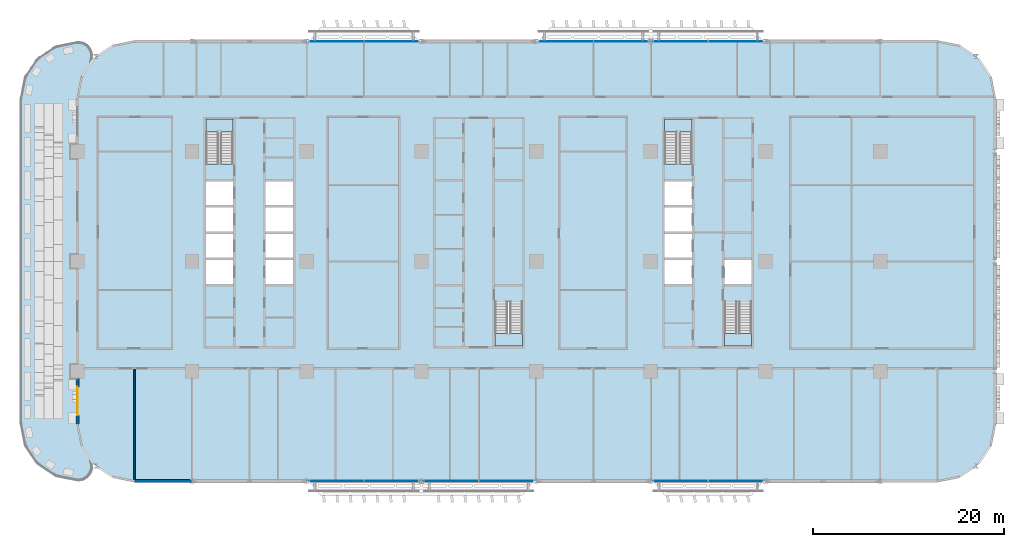
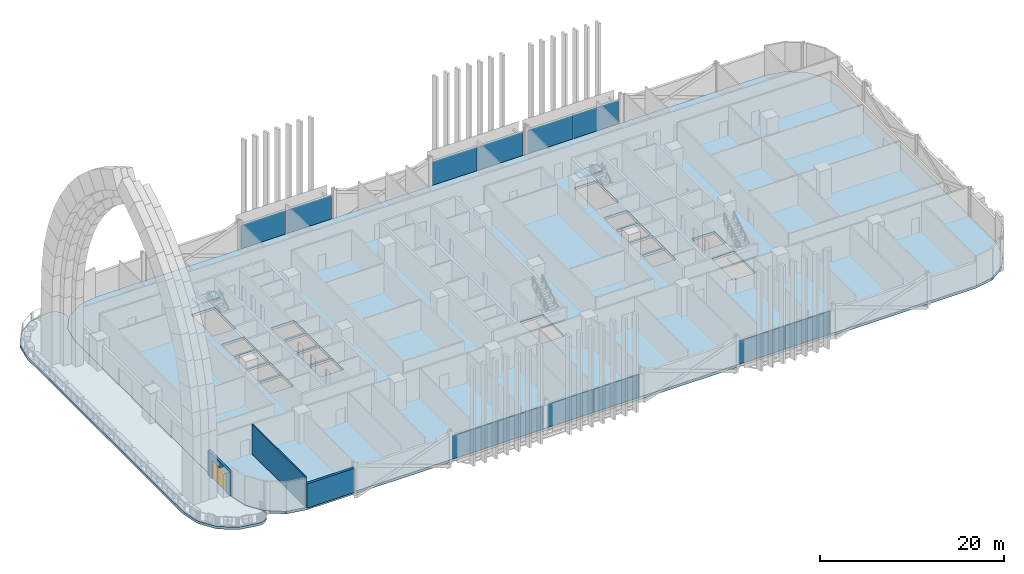
# One storey, part 8 of 29: 12 plates, 6 slabs, 3 walls, 1 door, 1 opening, 10 elements without a shape of their own.
"""IFC4 building model written with IfcOpenShell, lengths in metres."""

from ifc_helpers import new_model, si_unit, direction, frame, frame_2d, origin, origin_2d, place, context, subcontext, project, spatial, polyline, rectangle, outline, extrude, material, layer, layer_set, type_object, element, fill, aggregate, save


model = new_model("IFC4")

# Units and contexts
model_context = context("Model", 3, precision=1e-05, world=origin(), true_north=direction((0.0, 1.0)))
body_context = subcontext(model_context, "Body", "Model", "MODEL_VIEW")
ifc_project = project(units=[si_unit("LENGTHUNIT", "METRE"), si_unit("AREAUNIT", "SQUARE_METRE"), si_unit("VOLUMEUNIT", "CUBIC_METRE"), si_unit("PLANEANGLEUNIT", "RADIAN"), si_unit("MASSUNIT", "GRAM", prefix="KILO")], contexts=[model_context])

# Site, building, storey
site_placement = place(None, origin())
site = spatial("IfcSite", under=ifc_project, at=site_placement, CompositionType="ELEMENT")
building_placement = place(site_placement, origin())
building = spatial("IfcBuilding", under=site, at=building_placement, Name="Mahtab Terrace Research Tower", CompositionType="ELEMENT")
storey_placement = place(building_placement, frame((0.0, 0.0, 46.0)))
storey = spatial("IfcBuildingStorey", under=building, at=storey_placement, Name="L10", CompositionType="ELEMENT", Elevation=46.0)

# Stair, slab
ifc_material_1 = material(Name="Exit stair half-turn")
stair_type = type_object("IfcStairType", Name="Exit stair half-turn", PredefinedType="HALF_TURN_STAIR", material=ifc_material_1)
stair_1_placement = place(storey_placement, origin())
stair_1 = element("IfcStair", 1, at=stair_1_placement, inside=storey, type_object=stair_type, Name="L10 Protected exit stair ST1", PredefinedType="HALF_TURN_STAIR")
ifc_material_2 = material(Name="Concrete C40/50", Category="concrete")
ifc_layer_1 = layer(ifc_material_2, 0.199951171875)
ifc_layer_set_1 = layer_set([ifc_layer_1], Name="Exit stair landing 200")
slab_type_1 = type_object("IfcSlabType", Name="Exit stair landing 200", PredefinedType="LANDING", material=ifc_layer_set_1)
slab_1_placement = place(storey_placement, frame((0.0, 0.0, 1.949951171875)))
slab_1 = element("IfcSlab", 2, at=slab_1_placement, type_object=slab_type_1, Name="ST1 landing 1", PredefinedType="LANDING", context=body_context, shape_type="SweptSolid", body=[
    extrude(outline(polyline([(-25.699951171875, 13.534912109375), (-25.699951171875, 14.875), (-28.550048828125, 14.875), (-28.550048828125, 13.534912109375), (-25.699951171875, 13.534912109375)])), origin(), (0.0, 0.0, 1.0), 0.199951171875),
])
aggregate(stair_1, [slab_1])

stair_2_placement = place(storey_placement, origin())
stair_2 = element("IfcStair", 3, at=stair_2_placement, inside=storey, type_object=stair_type, Name="L10 Protected exit stair ST2", PredefinedType="HALF_TURN_STAIR")
slab_2_placement = place(storey_placement, frame((0.0, 0.0, 1.949951171875)))
slab_2 = element("IfcSlab", 4, at=slab_2_placement, type_object=slab_type_1, Name="ST2 landing 1", PredefinedType="LANDING", context=body_context, shape_type="SweptSolid", body=[
    extrude(outline(polyline([(1.699951171875, -7.534912109375), (1.699951171875, -8.875), (4.550048828125, -8.875), (4.550048828125, -7.534912109375), (1.699951171875, -7.534912109375)])), origin(), (0.0, 0.0, 1.0), 0.199951171875),
])
aggregate(stair_2, [slab_2])

stair_3_placement = place(storey_placement, origin())
stair_3 = element("IfcStair", 5, at=stair_3_placement, inside=storey, type_object=stair_type, Name="L10 Protected exit stair ST3", PredefinedType="HALF_TURN_STAIR")
slab_3_placement = place(storey_placement, frame((0.0, 0.0, 1.949951171875)))
slab_3 = element("IfcSlab", 6, at=slab_3_placement, type_object=slab_type_1, Name="ST3 landing 1", PredefinedType="LANDING", context=body_context, shape_type="SweptSolid", body=[
    extrude(outline(polyline([(22.300048828125, 13.534912109375), (22.300048828125, 14.875), (19.449951171875, 14.875), (19.449951171875, 13.534912109375), (22.300048828125, 13.534912109375)])), origin(), (0.0, 0.0, 1.0), 0.199951171875),
])
aggregate(stair_3, [slab_3])

stair_4_placement = place(storey_placement, origin())
stair_4 = element("IfcStair", 7, at=stair_4_placement, inside=storey, type_object=stair_type, Name="L10 Protected exit stair ST4", PredefinedType="HALF_TURN_STAIR")
slab_4_placement = place(storey_placement, frame((0.0, 0.0, 1.949951171875)))
slab_4 = element("IfcSlab", 8, at=slab_4_placement, type_object=slab_type_1, Name="ST4 landing 1", PredefinedType="LANDING", context=body_context, shape_type="SweptSolid", body=[
    extrude(outline(polyline([(25.699951171875, -7.534912109375), (25.699951171875, -8.875), (28.550048828125, -8.875), (28.550048828125, -7.534912109375), (25.699951171875, -7.534912109375)])), origin(), (0.0, 0.0, 1.0), 0.199951171875),
])
aggregate(stair_4, [slab_4])

# Slabs
ifc_layer_2 = layer(ifc_material_2, 0.340087890625)
ifc_layer_set_2 = layer_set([ifc_layer_2], Name="PT flat slab 340")
slab_type_2 = type_object("IfcSlabType", Name="PT flat slab 340", PredefinedType="FLOOR", material=ifc_layer_set_2)
slab_5_placement = place(storey_placement, frame((0.0, 0.0, -0.340087890625)))
element("IfcSlab", 9, at=slab_5_placement, inside=storey, type_object=slab_type_2, Name="Floor slab L10", PredefinedType="FLOOR", context=body_context, shape_type="SweptSolid", body=[
    extrude(outline(polyline([(53.54296875, 19.2958984375), (52.242919921875, 21.242919921875), (50.2958984375, 22.54296875), (48.0, 23.0), (-36.0, 23.0), (-38.2958984375, 22.54296875), (-40.242919921875, 21.242919921875), (-41.54296875, 19.2958984375), (-42.0, 17.0), (-42.0, -17.0), (-41.54296875, -19.2958984375), (-40.242919921875, -21.242919921875), (-38.2958984375, -22.54296875), (-36.0, -23.0), (48.0, -23.0), (50.2958984375, -22.54296875), (52.242919921875, -21.242919921875), (53.54296875, -19.2958984375), (54.0, -17.0), (54.0, 17.0), (53.54296875, 19.2958984375)]), holes=[polyline([(-28.550048828125, -2.375), (-28.550048828125, 0.125), (-25.699951171875, 0.125), (-25.699951171875, -2.375), (-28.550048828125, -2.375)]), polyline([(-22.300048828125, -2.375), (-22.300048828125, 0.125), (-19.449951171875, 0.125), (-19.449951171875, -2.375), (-22.300048828125, -2.375)]), polyline([(-28.550048828125, 0.375), (-28.550048828125, 2.875), (-25.699951171875, 2.875), (-25.699951171875, 0.375), (-28.550048828125, 0.375)]), polyline([(-22.300048828125, 0.375), (-22.300048828125, 2.875), (-19.449951171875, 2.875), (-19.449951171875, 0.375), (-22.300048828125, 0.375)]), polyline([(-28.550048828125, 3.125), (-28.550048828125, 5.625), (-25.699951171875, 5.625), (-25.699951171875, 3.125), (-28.550048828125, 3.125)]), polyline([(-22.300048828125, 3.125), (-22.300048828125, 5.625), (-19.449951171875, 5.625), (-19.449951171875, 3.125), (-22.300048828125, 3.125)]), polyline([(-28.550048828125, 5.875), (-28.550048828125, 8.375), (-25.699951171875, 8.375), (-25.699951171875, 5.875), (-28.550048828125, 5.875)]), polyline([(-22.300048828125, 5.875), (-22.300048828125, 8.375), (-19.449951171875, 8.375), (-19.449951171875, 5.875), (-22.300048828125, 5.875)]), polyline([(-28.550048828125, 10.177001953125), (-28.550048828125, 14.875), (-25.699951171875, 14.875), (-25.699951171875, 10.177001953125), (-28.550048828125, 10.177001953125)]), polyline([(1.699951171875, -8.875), (1.699951171875, -4.177001953125), (4.550048828125, -4.177001953125), (4.550048828125, -8.875), (1.699951171875, -8.875)]), polyline([(25.699951171875, -8.875), (25.699951171875, -4.177001953125), (28.550048828125, -4.177001953125), (28.550048828125, -8.875), (25.699951171875, -8.875)]), polyline([(19.449951171875, -2.375), (19.449951171875, 0.125), (22.300048828125, 0.125), (22.300048828125, -2.375), (19.449951171875, -2.375)]), polyline([(25.699951171875, -2.375), (25.699951171875, 0.125), (28.550048828125, 0.125), (28.550048828125, -2.375), (25.699951171875, -2.375)]), polyline([(19.449951171875, 0.375), (19.449951171875, 2.875), (22.300048828125, 2.875), (22.300048828125, 0.375), (19.449951171875, 0.375)]), polyline([(19.449951171875, 3.125), (19.449951171875, 5.625), (22.300048828125, 5.625), (22.300048828125, 3.125), (19.449951171875, 3.125)]), polyline([(19.449951171875, 8.375), (22.300048828125, 8.375), (22.300048828125, 5.875), (19.449951171875, 5.875), (19.449951171875, 8.375)]), polyline([(19.449951171875, 14.875), (22.300048828125, 14.875), (22.300048828125, 10.177001953125), (19.449951171875, 10.177001953125), (19.449951171875, 14.875)])]), origin(), (0.0, 0.0, 1.0), 0.340087890625),
])
ifc_layer_3 = layer(ifc_material_2, 0.340087890625)
ifc_layer_set_3 = layer_set([ifc_layer_3], Name="PT terrace slab 340")
slab_type_3 = type_object("IfcSlabType", Name="PT terrace slab 340", PredefinedType="FLOOR", material=ifc_layer_set_3)
slab_6_placement = place(storey_placement, frame((0.0, 0.0, -0.340087890625)))
element("IfcSlab", 10, at=slab_6_placement, inside=storey, type_object=slab_type_3, Name="Terrace slab L10", PredefinedType="FLOOR", context=body_context, shape_type="SweptSolid", body=[
    extrude(outline(polyline([(-41.550048828125, -19.260009765625), (-41.992919921875, -17.035888671875), (-41.998046875, -17.0), (-42.0, -16.962890625), (-42.0, 16.962890625), (-41.998046875, 17.0), (-41.992919921875, 17.035888671875), (-41.550048828125, 19.260009765625), (-41.5419921875, 19.294921875), (-41.52294921875, 19.326904296875), (-40.631103515625, 20.660888671875), (-40.554931640625, 20.7880859375), (-40.491943359375, 20.9208984375), (-40.443115234375, 21.05908203125), (-40.406982421875, 21.201904296875), (-40.385009765625, 21.347900390625), (-40.3779296875, 21.4951171875), (-40.385009765625, 21.64208984375), (-40.406982421875, 21.787109375), (-40.443115234375, 21.929931640625), (-40.491943359375, 22.069091796875), (-40.554931640625, 22.201904296875), (-40.631103515625, 22.327880859375), (-40.718994140625, 22.446044921875), (-40.81689453125, 22.555908203125), (-40.927001953125, 22.654052734375), (-41.044921875, 22.741943359375), (-41.1708984375, 22.818115234375), (-41.303955078125, 22.881103515625), (-41.443115234375, 22.929931640625), (-41.5859375, 22.966064453125), (-41.73095703125, 22.988037109375), (-41.8779296875, 22.9951171875), (-42.02490234375, 22.988037109375), (-42.1708984375, 22.966064453125), (-44.0029296875, 22.60107421875), (-44.14599609375, 22.56591796875), (-44.284912109375, 22.51611328125), (-44.41796875, 22.452880859375), (-44.5439453125, 22.3779296875), (-45.9951171875, 21.407958984375), (-46.113037109375, 21.321044921875), (-46.221923828125, 21.221923828125), (-46.321044921875, 21.113037109375), (-46.407958984375, 20.9951171875), (-47.3779296875, 19.5439453125), (-47.452880859375, 19.41796875), (-47.51611328125, 19.284912109375), (-47.56591796875, 19.14599609375), (-47.60107421875, 19.0029296875), (-47.970947265625, 17.14501953125), (-47.992919921875, 16.9990234375), (-48.0, 16.85205078125), (-48.0, -16.85205078125), (-47.992919921875, -16.9990234375), (-47.970947265625, -17.14501953125), (-47.60107421875, -19.0029296875), (-47.56591796875, -19.14599609375), (-47.51611328125, -19.284912109375), (-47.452880859375, -19.41796875), (-47.3779296875, -19.5439453125), (-46.407958984375, -20.9951171875), (-46.321044921875, -21.113037109375), (-46.221923828125, -21.221923828125), (-46.113037109375, -21.321044921875), (-45.9951171875, -21.407958984375), (-44.5439453125, -22.3779296875), (-44.41796875, -22.452880859375), (-44.284912109375, -22.51611328125), (-44.14599609375, -22.56591796875), (-44.0029296875, -22.60107421875), (-42.1708984375, -22.966064453125), (-42.02490234375, -22.988037109375), (-41.8779296875, -22.9951171875), (-41.73095703125, -22.988037109375), (-41.5859375, -22.966064453125), (-41.443115234375, -22.929931640625), (-41.303955078125, -22.881103515625), (-41.1708984375, -22.818115234375), (-41.044921875, -22.741943359375), (-40.927001953125, -22.654052734375), (-40.81689453125, -22.555908203125), (-40.718994140625, -22.446044921875), (-40.631103515625, -22.327880859375), (-40.554931640625, -22.201904296875), (-40.491943359375, -22.069091796875), (-40.443115234375, -21.929931640625), (-40.406982421875, -21.787109375), (-40.385009765625, -21.64208984375), (-40.3779296875, -21.4951171875), (-40.385009765625, -21.347900390625), (-40.406982421875, -21.201904296875), (-40.443115234375, -21.05908203125), (-40.491943359375, -20.9208984375), (-40.554931640625, -20.7880859375), (-40.631103515625, -20.660888671875), (-41.52294921875, -19.326904296875), (-41.5419921875, -19.294921875), (-41.550048828125, -19.260009765625)])), origin(), (0.0, 0.0, 1.0), 0.340087890625),
])

# Curtain wall, plates
ifc_material_3 = material(Name="Sky lounge full-height curtain wall")
curtain_wall_type = type_object("IfcCurtainWallType", Name="Sky lounge full-height curtain wall", PredefinedType="NOTDEFINED", material=ifc_material_3)
curtain_wall_1_placement = place(storey_placement, origin())
curtain_wall_1 = element("IfcCurtainWall", 11, at=curtain_wall_1_placement, inside=storey, type_object=curtain_wall_type, Name="EN.L10.3.5", PredefinedType="NOTDEFINED")
ifc_material_4 = material(Name="Dark glazing", Category="glass")
ifc_layer_4 = layer(ifc_material_4, 0.0400390625)
ifc_layer_set_4 = layer_set([ifc_layer_4], Name="Sky lounge full-height curtain wall glazing panel")
plate_type = type_object("IfcPlateType", Name="Sky lounge full-height curtain wall glazing panel", PredefinedType="CURTAIN_PANEL", material=ifc_layer_set_4)
plate_1_placement = place(storey_placement, frame((26.863525390625, 23.0, 0.0), z_axis=(0.0, 0.0, 1.0), x_axis=(-1.0, 0.0, 0.0)))
plate_1 = element("IfcPlate", 12, at=plate_1_placement, type_object=plate_type, Name="CWS-2 panel 1", PredefinedType="CURTAIN_PANEL", context=body_context, shape_type="SweptSolid", body=[
    extrude(rectangle(XDim=5.656982421875, YDim=0.0400390625, at=origin_2d()), origin(), (0.0, 0.0, 1.0), 3.0830078125),
])
plate_2_placement = place(storey_placement, frame((21.136474609375, 23.0, 0.0), z_axis=(0.0, 0.0, 1.0), x_axis=(-1.0, 0.0, 0.0)))
plate_2 = element("IfcPlate", 13, at=plate_2_placement, type_object=plate_type, Name="CWS-2 panel 2", PredefinedType="CURTAIN_PANEL", context=body_context, shape_type="SweptSolid", body=[
    extrude(rectangle(XDim=5.656982421875, YDim=0.0400390625, at=origin_2d()), origin(), (0.0, 0.0, 1.0), 3.0830078125),
])
aggregate(curtain_wall_1, [plate_1, plate_2])

curtain_wall_2_placement = place(storey_placement, origin())
curtain_wall_2 = element("IfcCurtainWall", 14, at=curtain_wall_2_placement, inside=storey, type_object=curtain_wall_type, Name="EN.L10.3.6", PredefinedType="NOTDEFINED")
plate_3_placement = place(storey_placement, frame((14.863525390625, 23.0, 0.0), z_axis=(0.0, 0.0, 1.0), x_axis=(-1.0, 0.0, 0.0)))
plate_3 = element("IfcPlate", 15, at=plate_3_placement, type_object=plate_type, Name="CWS-2 panel 1", PredefinedType="CURTAIN_PANEL", context=body_context, shape_type="SweptSolid", body=[
    extrude(rectangle(XDim=5.656982421875, YDim=0.0400390625, at=origin_2d()), origin(), (0.0, 0.0, 1.0), 3.0830078125),
])
plate_4_placement = place(storey_placement, frame((9.136474609375, 23.0, 0.0), z_axis=(0.0, 0.0, 1.0), x_axis=(-1.0, 0.0, 0.0)))
plate_4 = element("IfcPlate", 16, at=plate_4_placement, type_object=plate_type, Name="CWS-2 panel 2", PredefinedType="CURTAIN_PANEL", context=body_context, shape_type="SweptSolid", body=[
    extrude(rectangle(XDim=5.656982421875, YDim=0.0400390625, at=origin_2d()), origin(), (0.0, 0.0, 1.0), 3.0830078125),
])
aggregate(curtain_wall_2, [plate_3, plate_4])

curtain_wall_3_placement = place(storey_placement, origin())
curtain_wall_3 = element("IfcCurtainWall", 17, at=curtain_wall_3_placement, inside=storey, type_object=curtain_wall_type, Name="EN.L10.3.8", PredefinedType="NOTDEFINED")
plate_5_placement = place(storey_placement, frame((-9.136474609375, 23.0, 0.0), z_axis=(0.0, 0.0, 1.0), x_axis=(-1.0, 0.0, 0.0)))
plate_5 = element("IfcPlate", 18, at=plate_5_placement, type_object=plate_type, Name="CWS-2 panel 1", PredefinedType="CURTAIN_PANEL", context=body_context, shape_type="SweptSolid", body=[
    extrude(rectangle(XDim=5.656982421875, YDim=0.0400390625, at=origin_2d()), origin(), (0.0, 0.0, 1.0), 3.0830078125),
])
plate_6_placement = place(storey_placement, frame((-14.863525390625, 23.0, 0.0), z_axis=(0.0, 0.0, 1.0), x_axis=(-1.0, 0.0, 0.0)))
plate_6 = element("IfcPlate", 19, at=plate_6_placement, type_object=plate_type, Name="CWS-2 panel 2", PredefinedType="CURTAIN_PANEL", context=body_context, shape_type="SweptSolid", body=[
    extrude(rectangle(XDim=5.656982421875, YDim=0.0400390625, at=origin_2d()), origin(), (0.0, 0.0, 1.0), 3.0830078125),
])
aggregate(curtain_wall_3, [plate_5, plate_6])

curtain_wall_4_placement = place(storey_placement, origin())
curtain_wall_4 = element("IfcCurtainWall", 20, at=curtain_wall_4_placement, inside=storey, type_object=curtain_wall_type, Name="EN.L10.13.25", PredefinedType="NOTDEFINED")
plate_7_placement = place(storey_placement, frame((-14.863525390625, -23.0, 0.0), z_axis=(0.0, 0.0, 1.0), x_axis=(1.0, 0.0, 0.0)))
plate_7 = element("IfcPlate", 21, at=plate_7_placement, type_object=plate_type, Name="CWS-2 panel 1", PredefinedType="CURTAIN_PANEL", context=body_context, shape_type="SweptSolid", body=[
    extrude(rectangle(XDim=5.656982421875, YDim=0.0400390625, at=origin_2d()), origin(), (0.0, 0.0, 1.0), 3.0830078125),
])
plate_8_placement = place(storey_placement, frame((-9.136474609375, -23.0, 0.0), z_axis=(0.0, 0.0, 1.0), x_axis=(1.0, 0.0, 0.0)))
plate_8 = element("IfcPlate", 22, at=plate_8_placement, type_object=plate_type, Name="CWS-2 panel 2", PredefinedType="CURTAIN_PANEL", context=body_context, shape_type="SweptSolid", body=[
    extrude(rectangle(XDim=5.656982421875, YDim=0.0400390625, at=origin_2d()), origin(), (0.0, 0.0, 1.0), 3.0830078125),
])
aggregate(curtain_wall_4, [plate_7, plate_8])

curtain_wall_5_placement = place(storey_placement, origin())
curtain_wall_5 = element("IfcCurtainWall", 23, at=curtain_wall_5_placement, inside=storey, type_object=curtain_wall_type, Name="EN.L10.13.26", PredefinedType="NOTDEFINED")
plate_9_placement = place(storey_placement, frame((-2.863525390625, -23.0, 0.0), z_axis=(0.0, 0.0, 1.0), x_axis=(1.0, 0.0, 0.0)))
plate_9 = element("IfcPlate", 24, at=plate_9_placement, type_object=plate_type, Name="CWS-2 panel 1", PredefinedType="CURTAIN_PANEL", context=body_context, shape_type="SweptSolid", body=[
    extrude(rectangle(XDim=5.656982421875, YDim=0.0400390625, at=origin_2d()), origin(), (0.0, 0.0, 1.0), 3.0830078125),
])
plate_10_placement = place(storey_placement, frame((2.863525390625, -23.0, 0.0), z_axis=(0.0, 0.0, 1.0), x_axis=(1.0, 0.0, 0.0)))
plate_10 = element("IfcPlate", 25, at=plate_10_placement, type_object=plate_type, Name="CWS-2 panel 2", PredefinedType="CURTAIN_PANEL", context=body_context, shape_type="SweptSolid", body=[
    extrude(rectangle(XDim=5.656982421875, YDim=0.0400390625, at=origin_2d()), origin(), (0.0, 0.0, 1.0), 3.0830078125),
])
aggregate(curtain_wall_5, [plate_9, plate_10])

curtain_wall_6_placement = place(storey_placement, origin())
curtain_wall_6 = element("IfcCurtainWall", 26, at=curtain_wall_6_placement, inside=storey, type_object=curtain_wall_type, Name="EN.L10.13.28", PredefinedType="NOTDEFINED")
plate_11_placement = place(storey_placement, frame((21.136474609375, -23.0, 0.0), z_axis=(0.0, 0.0, 1.0), x_axis=(1.0, 0.0, 0.0)))
plate_11 = element("IfcPlate", 27, at=plate_11_placement, type_object=plate_type, Name="CWS-2 panel 1", PredefinedType="CURTAIN_PANEL", context=body_context, shape_type="SweptSolid", body=[
    extrude(rectangle(XDim=5.656982421875, YDim=0.0400390625, at=origin_2d()), origin(), (0.0, 0.0, 1.0), 3.0830078125),
])
plate_12_placement = place(storey_placement, frame((26.863525390625, -23.0, 0.0), z_axis=(0.0, 0.0, 1.0), x_axis=(1.0, 0.0, 0.0)))
plate_12 = element("IfcPlate", 28, at=plate_12_placement, type_object=plate_type, Name="CWS-2 panel 2", PredefinedType="CURTAIN_PANEL", context=body_context, shape_type="SweptSolid", body=[
    extrude(rectangle(XDim=5.656982421875, YDim=0.0400390625, at=origin_2d()), origin(), (0.0, 0.0, 1.0), 3.0830078125),
])
aggregate(curtain_wall_6, [plate_11, plate_12])

# Wall, opening, door
ifc_material_5 = material(Name="Black aluminium cladding panel", Category="aluminium")
ifc_layer_5 = layer(ifc_material_5, 0.300048828125)
ifc_layer_set_5 = layer_set([ifc_layer_5], Name="Opaque facade wall 300")
wall_type_1 = type_object("IfcWallType", Name="Opaque facade wall 300", PredefinedType="NOTDEFINED", material=ifc_layer_set_5)
wall_1_placement = place(storey_placement, frame((-42.0, -12.25, 0.0), z_axis=(0.0, 0.0, 1.0), x_axis=(0.0, -1.0, 0.0)))
wall_1 = element("IfcWall", 29, at=wall_1_placement, inside=storey, type_object=wall_type_1, Name="Opaque facade wall L10 W18", PredefinedType="NOTDEFINED", context=body_context, shape_type="SweptSolid", body=[
    extrude(rectangle(XDim=4.75, YDim=0.300048828125, at=frame_2d((2.375, 0.0))), origin(), (0.0, 0.0, 1.0), 3.203125),
])
opening_placement = place(wall_1_placement, frame((0.875, 0.0, 0.0)))
opening = element("IfcOpeningElement", 30, at=opening_placement, cuts=wall_1, Name="Opening ED1", PredefinedType="OPENING", context=body_context, shape_type="SweptSolid", body=[
    extrude(rectangle(XDim=3.0, YDim=2.39990234375, at=frame_2d((1.5, 1.199951171875))), frame((0.0, 0.159912109375, 0.0), z_axis=(0.0, -1.0, 0.0), x_axis=(1.0, 0.0, 0.0)), (0.0, 0.0, 1.0), 0.320068359375),
])
ifc_material_6 = material(Name="Black anodised aluminium", Category="aluminium")
door_type = type_object("IfcDoorType", Name="Terrace double door 3000x2400", OperationType="DOUBLE_DOOR_DOUBLE_SWING", PredefinedType="DOOR", material=ifc_material_6)
door_placement = place(opening_placement, origin())
door = element("IfcDoor", 31, at=door_placement, inside=storey, type_object=door_type, Name="Terrace door L10 W", OperationType="SINGLE_SWING_LEFT", OverallHeight=2.39990234375, OverallWidth=3.0, PredefinedType="DOOR", context=body_context, shape_type="SweptSolid", body=[
    extrude(rectangle(XDim=3.0, YDim=2.39990234375, at=frame_2d((1.5, 1.199951171875))), frame((0.0, 0.02490234375, 0.0), z_axis=(0.0, -1.0, 0.0), x_axis=(1.0, 0.0, 0.0)), (0.0, 0.0, 1.0), 0.050048828125),
])
fill(opening, door)

# Walls
wall_2_placement = place(storey_placement, frame((-36.0, -23.0, 0.0), z_axis=(0.0, 0.0, 1.0), x_axis=(1.0, 0.0, 0.0)))
element("IfcWall", 32, at=wall_2_placement, inside=storey, type_object=wall_type_1, Name="Opaque facade wall L10 S23", PredefinedType="NOTDEFINED", context=body_context, shape_type="SweptSolid", body=[
    extrude(rectangle(XDim=5.97607421875, YDim=0.300048828125, at=frame_2d((2.988037109375, 0.0))), origin(), (0.0, 0.0, 1.0), 3.203125),
])
ifc_material_7 = material(Name="Gypsum board partition on steel studs", Category="steel")
ifc_layer_6 = layer(ifc_material_7, 0.14990234375)
ifc_layer_set_6 = layer_set([ifc_layer_6], Name="WALL PARTITION 150")
wall_type_2 = type_object("IfcWallType", Name="WALL PARTITION 150", PredefinedType="PARTITIONING", material=ifc_layer_set_6)
wall_3_placement = place(storey_placement, frame((-36.0, -22.84716796875, 0.0), z_axis=(0.0, 0.0, 1.0), x_axis=(0.0, 1.0, 0.0)))
element("IfcWall", 33, at=wall_3_placement, inside=storey, type_object=wall_type_2, Name="L10-W028", PredefinedType="PARTITIONING", context=body_context, shape_type="SweptSolid", body=[
    extrude(rectangle(XDim=11.547119140625, YDim=0.14990234375, at=frame_2d((5.7734375, 0.0))), origin(), (0.0, 0.0, 1.0), 3.9599609375),
])

save(model, "model.ifc")
